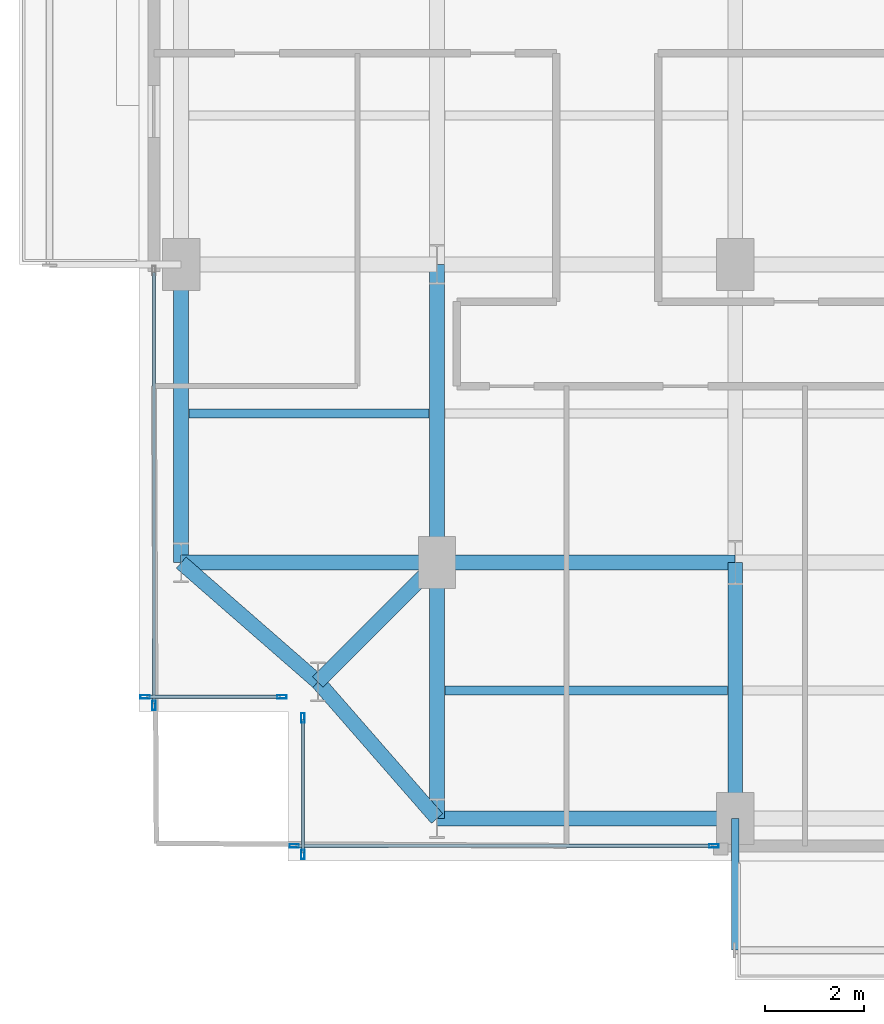
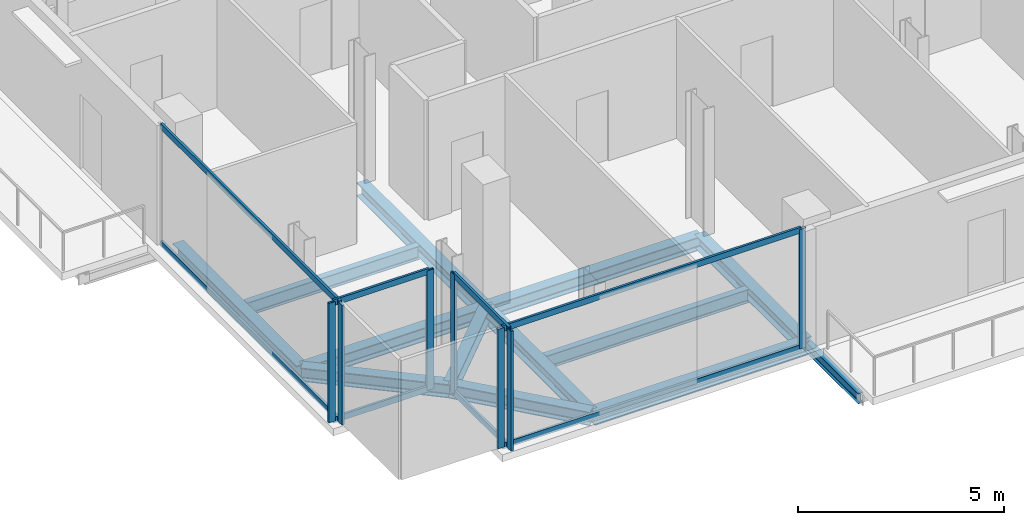
# One storey, part 2 of 22: 15 members, 13 beams, 4 elements without a shape of their own.
"""IFC4 building model written with IfcOpenShell, lengths in metres."""

from ifc_helpers import new_model, si_unit, direction, frame, origin, origin_2d, place, context, subcontext, project, spatial, hollow_rectangle, i_section, extrude, material, layer, layer_set, material_profile, profile_set, type_object, element, aggregate, save


model = new_model("IFC4")

# Units and contexts
model_context = context("Model", 3, precision=1e-05, world=origin(), true_north=direction((0.0, 1.0)))
body_context = subcontext(model_context, "Body", "Model", "MODEL_VIEW")
ifc_project = project(units=[si_unit("LENGTHUNIT", "METRE"), si_unit("AREAUNIT", "SQUARE_METRE"), si_unit("VOLUMEUNIT", "CUBIC_METRE"), si_unit("PLANEANGLEUNIT", "RADIAN"), si_unit("MASSUNIT", "GRAM", prefix="KILO"), si_unit("THERMODYNAMICTEMPERATUREUNIT", "KELVIN"), si_unit("POWERUNIT", "WATT")], contexts=[model_context])

# Site, building, storey
site_placement = place(None, origin())
site = spatial("IfcSite", under=ifc_project, at=site_placement, CompositionType="ELEMENT")
building_placement = place(site_placement, origin())
building = spatial("IfcBuilding", under=site, at=building_placement, Name="Svarakhadi Broadcast Tower", CompositionType="ELEMENT")
storey_placement = place(building_placement, frame((0.0, 0.0, 191.699951171875)))
storey = spatial("IfcBuildingStorey", under=building, at=storey_placement, Name="L47", CompositionType="ELEMENT", Elevation=191.699951171875)

# Beams
ifc_material_1 = material(Name="Steel S355J2 (IS 2062 E350C)", Category="steel")
ifc_material_profile_1 = material_profile(ifc_material_1, i_section(OverallWidth=0.179931640625, OverallDepth=0.39990234375, WebThickness=0.008544921875, FlangeThickness=0.013427734375, FilletRadius=0.02099609375, at=origin_2d()), Name="NPB 400x180x66")
ifc_profile_set_1 = profile_set([ifc_material_profile_1], Name="Steel S355J2 (IS 2062 E350C)")
beam_type_1 = type_object("IfcBeamType", Name="Beam_NPB400", PredefinedType="BEAM", material=ifc_profile_set_1)
beam_1_placement = place(storey_placement, frame((1.010009765625, 9.0, -0.409912109375), z_axis=(1.0, 0.0, 0.0), x_axis=(0.0, 1.0, 0.0)))
element("IfcBeam", 1, at=beam_1_placement, inside=storey, type_object=beam_type_1, Name="L47 Secondary Composite Beam SB001", PredefinedType="BEAM", context=body_context, shape_type="SweptSolid", body=[
    extrude(i_section(OverallWidth=0.179931640625, OverallDepth=0.39990234375, WebThickness=0.008544921875, FlangeThickness=0.013427734375, FilletRadius=0.02099609375, at=origin_2d()), origin(), (0.0, 0.0, 1.0), 4.830078125),
])
beam_2_placement = place(storey_placement, frame((6.159912109375, 3.425048828125, -0.409912109375), z_axis=(1.0, 0.0, 0.0), x_axis=(0.0, 1.0, 0.0)))
element("IfcBeam", 2, at=beam_2_placement, inside=storey, type_object=beam_type_1, Name="L47 Secondary Composite Beam SB005", PredefinedType="BEAM", context=body_context, shape_type="SweptSolid", body=[
    extrude(i_section(OverallWidth=0.179931640625, OverallDepth=0.39990234375, WebThickness=0.008544921875, FlangeThickness=0.013427734375, FilletRadius=0.02099609375, at=origin_2d()), origin(), (0.0, 0.0, 1.0), 5.68017578125),
])

# Curtain wall, members
ifc_material_2 = material(Name="Anodised Bronze Aluminium AA 6063-T6", Category="aluminium")
ifc_layer = layer(ifc_material_2, 0.18994140625)
ifc_layer_set = layer_set([ifc_layer], Name="Anodised Bronze Aluminium AA 6063-T6")
curtain_wall_type = type_object("IfcCurtainWallType", Name="CW_Sys_04", PredefinedType="NOTDEFINED", material=ifc_layer_set)
curtain_wall_1_placement = place(storey_placement, origin())
curtain_wall_1 = element("IfcCurtainWall", 3, at=curtain_wall_1_placement, inside=storey, type_object=curtain_wall_type, Name="L47 Unitised Facade Curtain Wall 01", PredefinedType="NOTDEFINED")
ifc_material_profile_2 = material_profile(ifc_material_2, hollow_rectangle(XDim=0.070068359375, YDim=0.18994140625, WallThickness=0.005615234375, at=origin_2d()), Name="ALU MULLION 190x70x6")
ifc_profile_set_2 = profile_set([ifc_material_profile_2], Name="Anodised Bronze Aluminium AA 6063-T6")
member_type_1 = type_object("IfcMemberType", Name="CW_Sys_04_Mul", PredefinedType="MULLION", material=ifc_profile_set_2)
member_1_placement = place(storey_placement, frame((2.875, 3.300048828125, 0.0), z_axis=(0.0, 0.0, 1.0), x_axis=(0.0, -1.0, 0.0)))
member_1 = element("IfcMember", 4, at=member_1_placement, type_object=member_type_1, Name="CW-04 mullion 1", PredefinedType="MULLION", context=body_context, shape_type="SweptSolid", body=[
    extrude(hollow_rectangle(XDim=0.070068359375, YDim=0.18994140625, WallThickness=0.005615234375, at=origin_2d()), origin(), (0.0, 0.0, 1.0), 3.5400390625),
])
member_2_placement = place(storey_placement, frame((0.125, 3.300048828125, 0.0), z_axis=(0.0, 0.0, 1.0), x_axis=(0.0, -1.0, 0.0)))
member_2 = element("IfcMember", 5, at=member_2_placement, type_object=member_type_1, Name="CW-04 mullion 2", PredefinedType="MULLION", context=body_context, shape_type="SweptSolid", body=[
    extrude(hollow_rectangle(XDim=0.070068359375, YDim=0.18994140625, WallThickness=0.005615234375, at=origin_2d()), origin(), (0.0, 0.0, 1.0), 3.5400390625),
])

# Curtain wall, member
curtain_wall_2_placement = place(storey_placement, origin())
curtain_wall_2 = element("IfcCurtainWall", 6, at=curtain_wall_2_placement, inside=storey, type_object=curtain_wall_type, Name="L47 West Curtain Wall 02", PredefinedType="NOTDEFINED")
member_3_placement = place(storey_placement, frame((0.300048828125, 3.125, 0.0), z_axis=(0.0, 0.0, 1.0), x_axis=(-1.0, 0.0, 0.0)))
member_3 = element("IfcMember", 7, at=member_3_placement, type_object=member_type_1, Name="CW-04 mullion 1", PredefinedType="MULLION", context=body_context, shape_type="SweptSolid", body=[
    extrude(hollow_rectangle(XDim=0.070068359375, YDim=0.18994140625, WallThickness=0.005615234375, at=origin_2d()), origin(), (0.0, 0.0, 1.0), 3.5400390625),
])

# Curtain wall, members
curtain_wall_3_placement = place(storey_placement, origin())
curtain_wall_3 = element("IfcCurtainWall", 8, at=curtain_wall_3_placement, inside=storey, type_object=curtain_wall_type, Name="L47 South Curtain Wall 16", PredefinedType="NOTDEFINED")
member_4_placement = place(storey_placement, frame((11.570068359375, 0.300048828125, 0.0), z_axis=(0.0, 0.0, 1.0), x_axis=(0.0, -1.0, 0.0)))
member_4 = element("IfcMember", 9, at=member_4_placement, type_object=member_type_1, Name="CW-04 mullion 1", PredefinedType="MULLION", context=body_context, shape_type="SweptSolid", body=[
    extrude(hollow_rectangle(XDim=0.070068359375, YDim=0.18994140625, WallThickness=0.005615234375, at=origin_2d()), origin(), (0.0, 0.0, 1.0), 3.5400390625),
])
member_5_placement = place(storey_placement, frame((3.125, 0.300048828125, 0.0), z_axis=(0.0, 0.0, 1.0), x_axis=(0.0, -1.0, 0.0)))
member_5 = element("IfcMember", 10, at=member_5_placement, type_object=member_type_1, Name="CW-04 mullion 2", PredefinedType="MULLION", context=body_context, shape_type="SweptSolid", body=[
    extrude(hollow_rectangle(XDim=0.070068359375, YDim=0.18994140625, WallThickness=0.005615234375, at=origin_2d()), origin(), (0.0, 0.0, 1.0), 3.5400390625),
])

curtain_wall_4_placement = place(storey_placement, origin())
curtain_wall_4 = element("IfcCurtainWall", 11, at=curtain_wall_4_placement, inside=storey, type_object=curtain_wall_type, Name="L47 Unitised Facade Curtain Wall 17", PredefinedType="NOTDEFINED")
member_6_placement = place(storey_placement, frame((3.300048828125, 0.125, 0.0), z_axis=(0.0, 0.0, 1.0), x_axis=(-1.0, 0.0, 0.0)))
member_6 = element("IfcMember", 12, at=member_6_placement, type_object=member_type_1, Name="CW-04 mullion 1", PredefinedType="MULLION", context=body_context, shape_type="SweptSolid", body=[
    extrude(hollow_rectangle(XDim=0.070068359375, YDim=0.18994140625, WallThickness=0.005615234375, at=origin_2d()), origin(), (0.0, 0.0, 1.0), 3.5400390625),
])
member_7_placement = place(storey_placement, frame((3.300048828125, 2.875, 0.0), z_axis=(0.0, 0.0, 1.0), x_axis=(-1.0, 0.0, 0.0)))
member_7 = element("IfcMember", 13, at=member_7_placement, type_object=member_type_1, Name="CW-04 mullion 2", PredefinedType="MULLION", context=body_context, shape_type="SweptSolid", body=[
    extrude(hollow_rectangle(XDim=0.070068359375, YDim=0.18994140625, WallThickness=0.005615234375, at=origin_2d()), origin(), (0.0, 0.0, 1.0), 3.5400390625),
])

# Member
ifc_material_profile_3 = material_profile(ifc_material_2, hollow_rectangle(XDim=0.06494140625, YDim=0.175048828125, WallThickness=0.0048828125, at=origin_2d()), Name="ALU TRANSOM 175x65x5")
ifc_profile_set_3 = profile_set([ifc_material_profile_3], Name="Anodised Bronze Aluminium AA 6063-T6")
member_type_2 = type_object("IfcMemberType", Name="CW_Sys_04_Trn", PredefinedType="USERDEFINED", material=ifc_profile_set_3)
member_8_placement = place(storey_placement, frame((2.840087890625, 3.300048828125, 0.032470703125), z_axis=(-1.0, 0.0, 0.0), x_axis=(0.0, -1.0, 0.0)))
member_8 = element("IfcMember", 14, at=member_8_placement, type_object=member_type_2, Name="CW-04 transom 1.1", ObjectType="TRANSOM", PredefinedType="USERDEFINED", context=body_context, shape_type="SweptSolid", body=[
    extrude(hollow_rectangle(XDim=0.06494140625, YDim=0.175048828125, WallThickness=0.0048828125, at=origin_2d()), origin(), (0.0, 0.0, 1.0), 2.68017578125),
])

member_9_placement = place(storey_placement, frame((2.840087890625, 3.300048828125, 3.507568359375), z_axis=(-1.0, 0.0, 0.0), x_axis=(0.0, -1.0, 0.0)))
member_9 = element("IfcMember", 15, at=member_9_placement, type_object=member_type_2, Name="CW-04 transom 1.2", ObjectType="TRANSOM", PredefinedType="USERDEFINED", context=body_context, shape_type="SweptSolid", body=[
    extrude(hollow_rectangle(XDim=0.06494140625, YDim=0.175048828125, WallThickness=0.0048828125, at=origin_2d()), origin(), (0.0, 0.0, 1.0), 2.68017578125),
])

aggregate(curtain_wall_1, [member_1, member_2, member_8, member_9])

member_10_placement = place(storey_placement, frame((0.300048828125, 3.159912109375, 0.032470703125), z_axis=(0.0, 1.0, 0.0), x_axis=(-1.0, 0.0, 0.0)))
member_10 = element("IfcMember", 16, at=member_10_placement, type_object=member_type_2, Name="CW-04 transom 1.1", ObjectType="TRANSOM", PredefinedType="USERDEFINED", context=body_context, shape_type="SweptSolid", body=[
    extrude(hollow_rectangle(XDim=0.06494140625, YDim=0.175048828125, WallThickness=0.0048828125, at=origin_2d()), origin(), (0.0, 0.0, 1.0), 8.68017578125),
])

member_11_placement = place(storey_placement, frame((0.300048828125, 3.159912109375, 3.507568359375), z_axis=(0.0, 1.0, 0.0), x_axis=(-1.0, 0.0, 0.0)))
member_11 = element("IfcMember", 17, at=member_11_placement, type_object=member_type_2, Name="CW-04 transom 1.2", ObjectType="TRANSOM", PredefinedType="USERDEFINED", context=body_context, shape_type="SweptSolid", body=[
    extrude(hollow_rectangle(XDim=0.06494140625, YDim=0.175048828125, WallThickness=0.0048828125, at=origin_2d()), origin(), (0.0, 0.0, 1.0), 8.68017578125),
])

aggregate(curtain_wall_2, [member_3, member_10, member_11])

member_12_placement = place(storey_placement, frame((11.534912109375, 0.300048828125, 0.032470703125), z_axis=(-1.0, 0.0, 0.0), x_axis=(0.0, -1.0, 0.0)))
member_12 = element("IfcMember", 18, at=member_12_placement, type_object=member_type_2, Name="CW-04 transom 1.1", ObjectType="TRANSOM", PredefinedType="USERDEFINED", context=body_context, shape_type="SweptSolid", body=[
    extrude(hollow_rectangle(XDim=0.06494140625, YDim=0.175048828125, WallThickness=0.0048828125, at=origin_2d()), origin(), (0.0, 0.0, 1.0), 8.375),
])

member_13_placement = place(storey_placement, frame((11.534912109375, 0.300048828125, 3.507568359375), z_axis=(-1.0, 0.0, 0.0), x_axis=(0.0, -1.0, 0.0)))
member_13 = element("IfcMember", 19, at=member_13_placement, type_object=member_type_2, Name="CW-04 transom 1.2", ObjectType="TRANSOM", PredefinedType="USERDEFINED", context=body_context, shape_type="SweptSolid", body=[
    extrude(hollow_rectangle(XDim=0.06494140625, YDim=0.175048828125, WallThickness=0.0048828125, at=origin_2d()), origin(), (0.0, 0.0, 1.0), 8.375),
])

aggregate(curtain_wall_3, [member_4, member_5, member_12, member_13])

member_14_placement = place(storey_placement, frame((3.300048828125, 0.159912109375, 0.032470703125), z_axis=(0.0, 1.0, 0.0), x_axis=(-1.0, 0.0, 0.0)))
member_14 = element("IfcMember", 20, at=member_14_placement, type_object=member_type_2, Name="CW-04 transom 1.1", ObjectType="TRANSOM", PredefinedType="USERDEFINED", context=body_context, shape_type="SweptSolid", body=[
    extrude(hollow_rectangle(XDim=0.06494140625, YDim=0.175048828125, WallThickness=0.0048828125, at=origin_2d()), origin(), (0.0, 0.0, 1.0), 2.68017578125),
])

member_15_placement = place(storey_placement, frame((3.300048828125, 0.159912109375, 3.507568359375), z_axis=(0.0, 1.0, 0.0), x_axis=(-1.0, 0.0, 0.0)))
member_15 = element("IfcMember", 21, at=member_15_placement, type_object=member_type_2, Name="CW-04 transom 1.2", ObjectType="TRANSOM", PredefinedType="USERDEFINED", context=body_context, shape_type="SweptSolid", body=[
    extrude(hollow_rectangle(XDim=0.06494140625, YDim=0.175048828125, WallThickness=0.0048828125, at=origin_2d()), origin(), (0.0, 0.0, 1.0), 2.68017578125),
])

aggregate(curtain_wall_4, [member_6, member_7, member_14, member_15])

# Beams
ifc_material_profile_4 = material_profile(ifc_material_1, i_section(OverallWidth=0.300048828125, OverallDepth=0.39990234375, WebThickness=0.013427734375, FlangeThickness=0.02392578125, FilletRadius=0.027099609375, at=origin_2d()), Name="WPB 400x300x155")
ifc_profile_set_4 = profile_set([ifc_material_profile_4], Name="Steel S355J2 (IS 2062 E350C)")
beam_type_2 = type_object("IfcBeamType", Name="Girder_WPB400", PredefinedType="USERDEFINED", material=ifc_profile_set_4)
beam_3_placement = place(storey_placement, frame((3.60009765625, 3.60009765625, -0.409912109375), z_axis=(0.707106781187, 0.707106781187, 0.0), x_axis=(-0.707106781187, 0.707106781187, 0.0)))
element("IfcBeam", 22, at=beam_3_placement, inside=storey, type_object=beam_type_2, Name="L47 Corner Tie Girder G001", ObjectType="GIRDER", PredefinedType="USERDEFINED", context=body_context, shape_type="SweptSolid", body=[
    extrude(i_section(OverallWidth=0.300048828125, OverallDepth=0.39990234375, WebThickness=0.013427734375, FlangeThickness=0.02392578125, FilletRadius=0.027099609375, at=origin_2d()), origin(), (0.0, 0.0, 1.0), 3.39404296875),
])
for number, where, z_axis, x_axis, name in (
    (23, (3.60009765625, 3.60009765625, -0.409912109375), (-0.753437912176, 0.657519058655, 0.0), (-0.657519058655, -0.753437912176, 0.0), "L47 Corner Tie Girder G002"),
    (24, (3.60009765625, 3.60009765625, -0.409912109375), (0.657519058655, -0.753437912176, 0.0), (0.753437912176, 0.657519058655, 0.0), "L47 Corner Tie Girder G003"),
):
    element("IfcBeam", number, at=place(storey_placement, frame(where, z_axis=z_axis, x_axis=x_axis)), inside=storey, type_object=beam_type_2, Name=name, ObjectType="GIRDER", PredefinedType="USERDEFINED", context=body_context, shape_type="SweptSolid", body=[
        extrude(i_section(OverallWidth=0.300048828125, OverallDepth=0.39990234375, WebThickness=0.013427734375, FlangeThickness=0.02392578125, FilletRadius=0.027099609375, at=origin_2d()), origin(), (0.0, 0.0, 1.0), 3.64990234375),
    ])
beam_4_placement = place(storey_placement, frame((6.0, 0.85009765625, -0.409912109375), z_axis=(1.0, 0.0, 0.0), x_axis=(0.0, 1.0, 0.0)))
element("IfcBeam", 25, at=beam_4_placement, inside=storey, type_object=beam_type_2, Name="L47 Primary E-W Girder G004", ObjectType="GIRDER", PredefinedType="USERDEFINED", context=body_context, shape_type="SweptSolid", body=[
    extrude(i_section(OverallWidth=0.300048828125, OverallDepth=0.39990234375, WebThickness=0.013427734375, FlangeThickness=0.02392578125, FilletRadius=0.027099609375, at=origin_2d()), origin(), (0.0, 0.0, 1.0), 6.0),
])
beam_5_placement = place(storey_placement, frame((0.85009765625, 6.0, -0.409912109375), z_axis=(1.0, 0.0, 0.0), x_axis=(0.0, 1.0, 0.0)))
element("IfcBeam", 26, at=beam_5_placement, inside=storey, type_object=beam_type_2, Name="L47 Primary E-W Girder G009", ObjectType="GIRDER", PredefinedType="USERDEFINED", context=body_context, shape_type="SweptSolid", body=[
    extrude(i_section(OverallWidth=0.300048828125, OverallDepth=0.39990234375, WebThickness=0.013427734375, FlangeThickness=0.02392578125, FilletRadius=0.027099609375, at=origin_2d()), origin(), (0.0, 0.0, 1.0), 5.14990234375),
])
for number, where, z_axis, x_axis, name in (
    (27, (6.0, 6.0, -0.409912109375), (1.0, 0.0, 0.0), (0.0, 1.0, 0.0), "L47 Primary E-W Girder G010"),
    (28, (0.85009765625, 6.0, -0.409912109375), (0.0, 1.0, 0.0), (-1.0, 0.0, 0.0), "L47 Primary N-S Girder G033"),
):
    element("IfcBeam", number, at=place(storey_placement, frame(where, z_axis=z_axis, x_axis=x_axis)), inside=storey, type_object=beam_type_2, Name=name, ObjectType="GIRDER", PredefinedType="USERDEFINED", context=body_context, shape_type="SweptSolid", body=[
        extrude(i_section(OverallWidth=0.300048828125, OverallDepth=0.39990234375, WebThickness=0.013427734375, FlangeThickness=0.02392578125, FilletRadius=0.027099609375, at=origin_2d()), origin(), (0.0, 0.0, 1.0), 6.0),
    ])
beam_6_placement = place(storey_placement, frame((6.0, 0.85009765625, -0.409912109375), z_axis=(0.0, 1.0, 0.0), x_axis=(-1.0, 0.0, 0.0)))
element("IfcBeam", 29, at=beam_6_placement, inside=storey, type_object=beam_type_2, Name="L47 Primary N-S Girder G037", ObjectType="GIRDER", PredefinedType="USERDEFINED", context=body_context, shape_type="SweptSolid", body=[
    extrude(i_section(OverallWidth=0.300048828125, OverallDepth=0.39990234375, WebThickness=0.013427734375, FlangeThickness=0.02392578125, FilletRadius=0.027099609375, at=origin_2d()), origin(), (0.0, 0.0, 1.0), 5.14990234375),
])
beam_7_placement = place(storey_placement, frame((6.0, 6.0, -0.409912109375), z_axis=(0.0, 1.0, 0.0), x_axis=(-1.0, 0.0, 0.0)))
element("IfcBeam", 30, at=beam_7_placement, inside=storey, type_object=beam_type_2, Name="L47 Primary N-S Girder G038", ObjectType="GIRDER", PredefinedType="USERDEFINED", context=body_context, shape_type="SweptSolid", body=[
    extrude(i_section(OverallWidth=0.300048828125, OverallDepth=0.39990234375, WebThickness=0.013427734375, FlangeThickness=0.02392578125, FilletRadius=0.027099609375, at=origin_2d()), origin(), (0.0, 0.0, 1.0), 6.0),
])
beam_8_placement = place(storey_placement, frame((12.0, 0.85009765625, -0.409912109375), z_axis=(0.0, 1.0, 0.0), x_axis=(-1.0, 0.0, 0.0)))
element("IfcBeam", 31, at=beam_8_placement, inside=storey, type_object=beam_type_2, Name="L47 Primary N-S Girder G042", ObjectType="GIRDER", PredefinedType="USERDEFINED", context=body_context, shape_type="SweptSolid", body=[
    extrude(i_section(OverallWidth=0.300048828125, OverallDepth=0.39990234375, WebThickness=0.013427734375, FlangeThickness=0.02392578125, FilletRadius=0.027099609375, at=origin_2d()), origin(), (0.0, 0.0, 1.0), 5.14990234375),
])
ifc_material_profile_5 = material_profile(ifc_material_1, i_section(OverallWidth=0.14990234375, OverallDepth=0.300048828125, WebThickness=0.007080078125, FlangeThickness=0.0107421875, FilletRadius=0.014892578125, at=origin_2d()), Name="NPB 300x150x37")
ifc_profile_set_5 = profile_set([ifc_material_profile_5], Name="Steel S355J2 (IS 2062 E350C)")
beam_type_3 = type_object("IfcBeamType", Name="Spandrel_NPB300", PredefinedType="SPANDREL", material=ifc_profile_set_5)
beam_9_placement = place(storey_placement, frame((12.0, 0.85009765625, -0.375), z_axis=(0.0, -1.0, 0.0), x_axis=(1.0, 0.0, 0.0)))
element("IfcBeam", 32, at=beam_9_placement, inside=storey, type_object=beam_type_3, Name="L47 Balcony Cantilever Bracket 1A", PredefinedType="SPANDREL", context=body_context, shape_type="SweptSolid", body=[
    extrude(i_section(OverallWidth=0.14990234375, OverallDepth=0.300048828125, WebThickness=0.007080078125, FlangeThickness=0.0107421875, FilletRadius=0.014892578125, at=origin_2d()), origin(), (0.0, 0.0, 1.0), 2.650146484375),
])

save(model, "model.ifc")
